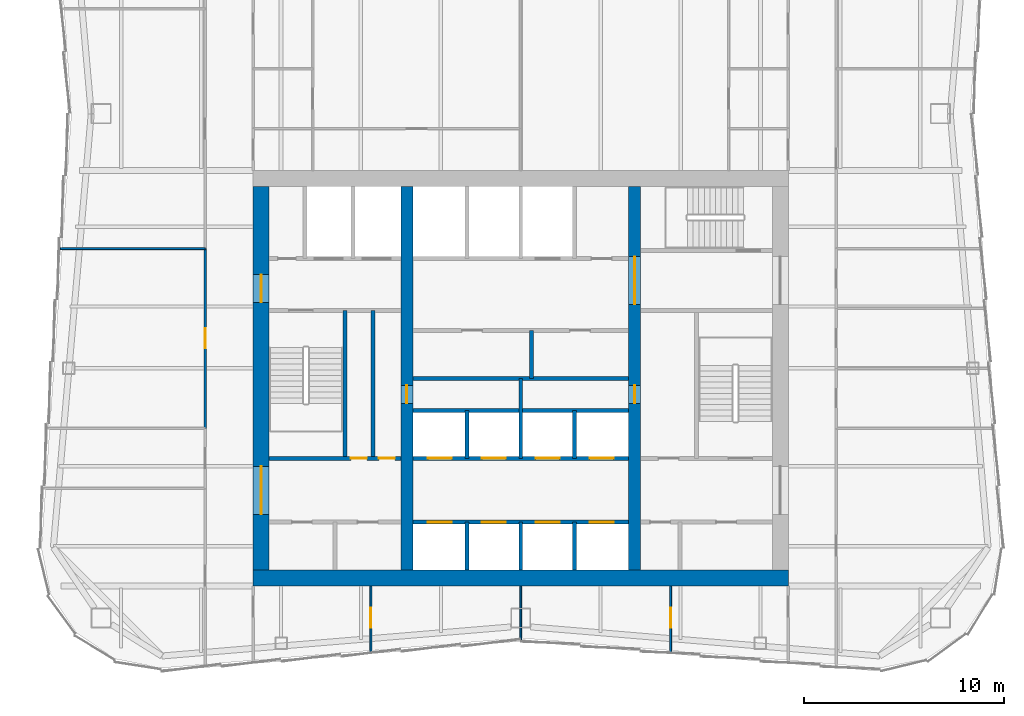
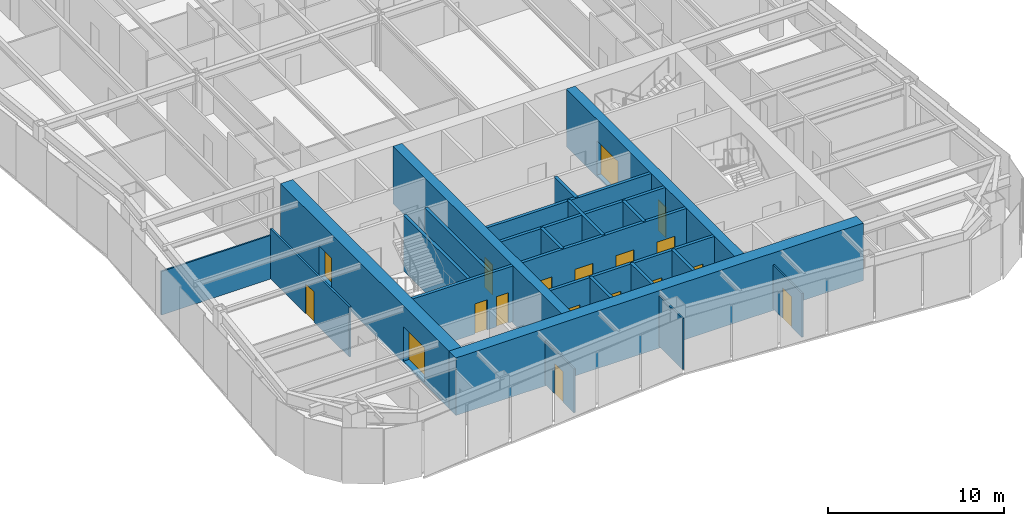
# One storey, part 6 of 12: 23 walls, 18 doors, 18 openings.
"""IFC4 building model written with IfcOpenShell, lengths in metres."""

from ifc_helpers import new_model, si_unit, direction, frame, frame_2d, origin, place, context, subcontext, project, spatial, rectangle, extrude, material, layer, layer_set, type_object, element, fill, save


model = new_model("IFC4")

# Units and contexts
model_context = context("Model", 3, precision=1e-05, world=origin(), true_north=direction((0.0, 1.0)))
body_context = subcontext(model_context, "Body", "Model", "MODEL_VIEW")
ifc_project = project(units=[si_unit("LENGTHUNIT", "METRE"), si_unit("AREAUNIT", "SQUARE_METRE"), si_unit("VOLUMEUNIT", "CUBIC_METRE"), si_unit("PLANEANGLEUNIT", "RADIAN"), si_unit("MASSUNIT", "GRAM", prefix="KILO")], contexts=[model_context])

# Site, building, storey
site_placement = place(None, origin())
site = spatial("IfcSite", under=ifc_project, at=site_placement, CompositionType="ELEMENT")
building_placement = place(site_placement, origin())
building = spatial("IfcBuilding", under=site, at=building_placement, Name="Verdant Reach Tower", CompositionType="ELEMENT")
storey_placement = place(building_placement, frame((0.0, 0.0, 246.0)))
storey = spatial("IfcBuildingStorey", under=building, at=storey_placement, Name="L56", CompositionType="ELEMENT", Elevation=246.0)

# Walls
ifc_material_1 = material(Name="Gypsum board on steel studs", Category="steel")
ifc_layer_1 = layer(ifc_material_1, 0.199951171875)
ifc_layer_set_1 = layer_set([ifc_layer_1], Name="CO-WALL-ROOM")
wall_type_1 = type_object("IfcWallType", Name="CO-WALL-ROOM", PredefinedType="PARTITIONING", material=ifc_layer_set_1)
wall_1_placement = place(storey_placement, frame((-5.39990234375, 28.0, 0.0), z_axis=(0.0, 0.0, 1.0), x_axis=(1.0, 0.0, 0.0)))
element("IfcWall", 1, at=wall_1_placement, inside=storey, type_object=wall_type_1, Name="Core partition, L56", PredefinedType="PARTITIONING", context=body_context, shape_type="SweptSolid", body=[
    extrude(rectangle(XDim=10.7998046875, YDim=0.199951171875, at=frame_2d((5.39990234375, 0.0))), origin(), (0.0, 0.0, 1.0), 3.8701171875),
])
wall_2_placement = place(storey_placement, frame((-7.39990234375, 24.0, 0.0), z_axis=(0.0, 0.0, 1.0), x_axis=(0.0, 1.0, 0.0)))
element("IfcWall", 2, at=wall_2_placement, inside=storey, type_object=wall_type_1, Name="Core partition, L56", PredefinedType="PARTITIONING", context=body_context, shape_type="SweptSolid", body=[
    extrude(rectangle(XDim=7.39990234375, YDim=0.199951171875, at=frame_2d((3.699951171875, 0.0))), origin(), (0.0, 0.0, 1.0), 3.8701171875),
])
wall_3_placement = place(storey_placement, frame((0.5400390625, 28.0, 0.0), z_axis=(0.0, 0.0, 1.0), x_axis=(0.0, 1.0, 0.0)))
element("IfcWall", 3, at=wall_3_placement, inside=storey, type_object=wall_type_1, Name="Core partition, L56", PredefinedType="PARTITIONING", context=body_context, shape_type="SweptSolid", body=[
    extrude(rectangle(XDim=2.39990234375, YDim=0.199951171875, at=frame_2d((1.199951171875, 0.0))), origin(), (0.0, 0.0, 1.0), 3.8701171875),
])

# Wall, openings, doors
ifc_material_2 = material(Name="Concrete C40/50", Category="concrete")
ifc_layer_2 = layer(ifc_material_2, 0.199951171875)
ifc_layer_set_2 = layer_set([ifc_layer_2], Name="CO-WALL-SHAFT")
wall_type_2 = type_object("IfcWallType", Name="CO-WALL-SHAFT", PredefinedType="PARTITIONING", material=ifc_layer_set_2)
wall_4_placement = place(storey_placement, frame((-5.39990234375, 20.800048828125, 0.0), z_axis=(0.0, 0.0, 1.0), x_axis=(1.0, 0.0, 0.0)))
wall_4 = element("IfcWall", 4, at=wall_4_placement, inside=storey, type_object=wall_type_2, Name="Lift shaft wall, L56", PredefinedType="PARTITIONING", context=body_context, shape_type="SweptSolid", body=[
    extrude(rectangle(XDim=10.7998046875, YDim=0.199951171875, at=frame_2d((5.39990234375, 0.0))), origin(), (0.0, 0.0, 1.0), 3.8701171875),
])
opening_1_placement = place(wall_4_placement, frame((0.75, 0.0, 0.0)))
opening_1 = element("IfcOpeningElement", 5, at=opening_1_placement, cuts=wall_4, Name="Opening LD-B1", PredefinedType="OPENING", context=body_context, shape_type="SweptSolid", body=[
    extrude(rectangle(XDim=1.199951171875, YDim=2.199951171875, at=frame_2d((0.60009765625, 1.10009765625))), frame((0.0, 0.10986328125, 0.0), z_axis=(0.0, -1.0, 0.0), x_axis=(1.0, 0.0, 0.0)), (0.0, 0.0, 1.0), 0.219970703125),
])
opening_2_placement = place(wall_4_placement, frame((3.449951171875, 0.0, 0.0)))
opening_2 = element("IfcOpeningElement", 6, at=opening_2_placement, cuts=wall_4, Name="Opening LD-B2", PredefinedType="OPENING", context=body_context, shape_type="SweptSolid", body=[
    extrude(rectangle(XDim=1.199951171875, YDim=2.199951171875, at=frame_2d((0.60009765625, 1.10009765625))), frame((0.0, 0.10986328125, 0.0), z_axis=(0.0, -1.0, 0.0), x_axis=(1.0, 0.0, 0.0)), (0.0, 0.0, 1.0), 0.219970703125),
])
opening_3_placement = place(wall_4_placement, frame((6.14990234375, 0.0, 0.0)))
opening_3 = element("IfcOpeningElement", 7, at=opening_3_placement, cuts=wall_4, Name="Opening LD-B3", PredefinedType="OPENING", context=body_context, shape_type="SweptSolid", body=[
    extrude(rectangle(XDim=1.199951171875, YDim=2.199951171875, at=frame_2d((0.60009765625, 1.10009765625))), frame((0.0, 0.10986328125, 0.0), z_axis=(0.0, -1.0, 0.0), x_axis=(1.0, 0.0, 0.0)), (0.0, 0.0, 1.0), 0.219970703125),
])
opening_4_placement = place(wall_4_placement, frame((8.85009765625, 0.0, 0.0)))
opening_4 = element("IfcOpeningElement", 8, at=opening_4_placement, cuts=wall_4, Name="Opening LD-B4", PredefinedType="OPENING", context=body_context, shape_type="SweptSolid", body=[
    extrude(rectangle(XDim=1.199951171875, YDim=2.199951171875, at=frame_2d((0.60009765625, 1.10009765625))), frame((0.0, 0.10986328125, 0.0), z_axis=(0.0, -1.0, 0.0), x_axis=(1.0, 0.0, 0.0)), (0.0, 0.0, 1.0), 0.219970703125),
])
ifc_material_3 = material(Name="Stainless steel", Category="steel")
door_type_1 = type_object("IfcDoorType", Name="CO-DOOR-LANDING", OperationType="SLIDING_TO_LEFT", PredefinedType="DOOR", material=ifc_material_3)
door_1_placement = place(opening_1_placement, origin())
door_1 = element("IfcDoor", 9, at=door_1_placement, inside=storey, type_object=door_type_1, Name="Landing door B1, L56", OperationType="SLIDING_TO_LEFT", OverallHeight=2.199951171875, OverallWidth=1.199951171875, PredefinedType="DOOR", context=body_context, shape_type="SweptSolid", body=[
    extrude(rectangle(XDim=1.199951171875, YDim=2.199951171875, at=frame_2d((0.60009765625, 1.10009765625))), frame((0.0, 0.02490234375, 0.0), z_axis=(0.0, -1.0, 0.0), x_axis=(1.0, 0.0, 0.0)), (0.0, 0.0, 1.0), 0.050048828125),
])
fill(opening_1, door_1)
door_2_placement = place(opening_2_placement, origin())
door_2 = element("IfcDoor", 10, at=door_2_placement, inside=storey, type_object=door_type_1, Name="Landing door B2, L56", OperationType="SLIDING_TO_LEFT", OverallHeight=2.199951171875, OverallWidth=1.199951171875, PredefinedType="DOOR", context=body_context, shape_type="SweptSolid", body=[
    extrude(rectangle(XDim=1.199951171875, YDim=2.199951171875, at=frame_2d((0.60009765625, 1.10009765625))), frame((0.0, 0.02490234375, 0.0), z_axis=(0.0, -1.0, 0.0), x_axis=(1.0, 0.0, 0.0)), (0.0, 0.0, 1.0), 0.050048828125),
])
fill(opening_2, door_2)
door_3_placement = place(opening_3_placement, origin())
door_3 = element("IfcDoor", 11, at=door_3_placement, inside=storey, type_object=door_type_1, Name="Landing door B3, L56", OperationType="SLIDING_TO_LEFT", OverallHeight=2.199951171875, OverallWidth=1.199951171875, PredefinedType="DOOR", context=body_context, shape_type="SweptSolid", body=[
    extrude(rectangle(XDim=1.199951171875, YDim=2.199951171875, at=frame_2d((0.60009765625, 1.10009765625))), frame((0.0, 0.02490234375, 0.0), z_axis=(0.0, -1.0, 0.0), x_axis=(1.0, 0.0, 0.0)), (0.0, 0.0, 1.0), 0.050048828125),
])
fill(opening_3, door_3)
door_4_placement = place(opening_4_placement, origin())
door_4 = element("IfcDoor", 12, at=door_4_placement, inside=storey, type_object=door_type_1, Name="Landing door B4, L56", OperationType="SLIDING_TO_LEFT", OverallHeight=2.199951171875, OverallWidth=1.199951171875, PredefinedType="DOOR", context=body_context, shape_type="SweptSolid", body=[
    extrude(rectangle(XDim=1.199951171875, YDim=2.199951171875, at=frame_2d((0.60009765625, 1.10009765625))), frame((0.0, 0.02490234375, 0.0), z_axis=(0.0, -1.0, 0.0), x_axis=(1.0, 0.0, 0.0)), (0.0, 0.0, 1.0), 0.050048828125),
])
fill(opening_4, door_4)

wall_5_placement = place(storey_placement, frame((-5.39990234375, 24.0, 0.0), z_axis=(0.0, 0.0, 1.0), x_axis=(1.0, 0.0, 0.0)))
wall_5 = element("IfcWall", 13, at=wall_5_placement, inside=storey, type_object=wall_type_2, Name="Lift shaft wall, L56", PredefinedType="PARTITIONING", context=body_context, shape_type="SweptSolid", body=[
    extrude(rectangle(XDim=10.7998046875, YDim=0.199951171875, at=frame_2d((5.39990234375, 0.0))), origin(), (0.0, 0.0, 1.0), 3.8701171875),
])
opening_5_placement = place(wall_5_placement, frame((0.75, 0.0, 0.0)))
opening_5 = element("IfcOpeningElement", 14, at=opening_5_placement, cuts=wall_5, Name="Opening LD-A5", PredefinedType="OPENING", context=body_context, shape_type="SweptSolid", body=[
    extrude(rectangle(XDim=1.199951171875, YDim=2.199951171875, at=frame_2d((0.60009765625, 1.10009765625))), frame((0.0, 0.10986328125, 0.0), z_axis=(0.0, -1.0, 0.0), x_axis=(1.0, 0.0, 0.0)), (0.0, 0.0, 1.0), 0.219970703125),
])
opening_6_placement = place(wall_5_placement, frame((3.449951171875, 0.0, 0.0)))
opening_6 = element("IfcOpeningElement", 15, at=opening_6_placement, cuts=wall_5, Name="Opening LD-A6", PredefinedType="OPENING", context=body_context, shape_type="SweptSolid", body=[
    extrude(rectangle(XDim=1.199951171875, YDim=2.199951171875, at=frame_2d((0.60009765625, 1.10009765625))), frame((0.0, 0.10986328125, 0.0), z_axis=(0.0, -1.0, 0.0), x_axis=(1.0, 0.0, 0.0)), (0.0, 0.0, 1.0), 0.219970703125),
])
opening_7_placement = place(wall_5_placement, frame((6.14990234375, 0.0, 0.0)))
opening_7 = element("IfcOpeningElement", 16, at=opening_7_placement, cuts=wall_5, Name="Opening LD-A7", PredefinedType="OPENING", context=body_context, shape_type="SweptSolid", body=[
    extrude(rectangle(XDim=1.199951171875, YDim=2.199951171875, at=frame_2d((0.60009765625, 1.10009765625))), frame((0.0, 0.10986328125, 0.0), z_axis=(0.0, -1.0, 0.0), x_axis=(1.0, 0.0, 0.0)), (0.0, 0.0, 1.0), 0.219970703125),
])
opening_8_placement = place(wall_5_placement, frame((8.85009765625, 0.0, 0.0)))
opening_8 = element("IfcOpeningElement", 17, at=opening_8_placement, cuts=wall_5, Name="Opening LD-A8", PredefinedType="OPENING", context=body_context, shape_type="SweptSolid", body=[
    extrude(rectangle(XDim=1.199951171875, YDim=2.199951171875, at=frame_2d((0.60009765625, 1.10009765625))), frame((0.0, 0.10986328125, 0.0), z_axis=(0.0, -1.0, 0.0), x_axis=(1.0, 0.0, 0.0)), (0.0, 0.0, 1.0), 0.219970703125),
])
door_5_placement = place(opening_5_placement, origin())
door_5 = element("IfcDoor", 18, at=door_5_placement, inside=storey, type_object=door_type_1, Name="Landing door A5, L56", OperationType="SLIDING_TO_LEFT", OverallHeight=2.199951171875, OverallWidth=1.199951171875, PredefinedType="DOOR", context=body_context, shape_type="SweptSolid", body=[
    extrude(rectangle(XDim=1.199951171875, YDim=2.199951171875, at=frame_2d((0.60009765625, 1.10009765625))), frame((0.0, 0.02490234375, 0.0), z_axis=(0.0, -1.0, 0.0), x_axis=(1.0, 0.0, 0.0)), (0.0, 0.0, 1.0), 0.050048828125),
])
fill(opening_5, door_5)
door_6_placement = place(opening_6_placement, origin())
door_6 = element("IfcDoor", 19, at=door_6_placement, inside=storey, type_object=door_type_1, Name="Landing door A6, L56", OperationType="SLIDING_TO_LEFT", OverallHeight=2.199951171875, OverallWidth=1.199951171875, PredefinedType="DOOR", context=body_context, shape_type="SweptSolid", body=[
    extrude(rectangle(XDim=1.199951171875, YDim=2.199951171875, at=frame_2d((0.60009765625, 1.10009765625))), frame((0.0, 0.02490234375, 0.0), z_axis=(0.0, -1.0, 0.0), x_axis=(1.0, 0.0, 0.0)), (0.0, 0.0, 1.0), 0.050048828125),
])
fill(opening_6, door_6)
door_7_placement = place(opening_7_placement, origin())
door_7 = element("IfcDoor", 20, at=door_7_placement, inside=storey, type_object=door_type_1, Name="Landing door A7, L56", OperationType="SLIDING_TO_LEFT", OverallHeight=2.199951171875, OverallWidth=1.199951171875, PredefinedType="DOOR", context=body_context, shape_type="SweptSolid", body=[
    extrude(rectangle(XDim=1.199951171875, YDim=2.199951171875, at=frame_2d((0.60009765625, 1.10009765625))), frame((0.0, 0.02490234375, 0.0), z_axis=(0.0, -1.0, 0.0), x_axis=(1.0, 0.0, 0.0)), (0.0, 0.0, 1.0), 0.050048828125),
])
fill(opening_7, door_7)
door_8_placement = place(opening_8_placement, origin())
door_8 = element("IfcDoor", 21, at=door_8_placement, inside=storey, type_object=door_type_1, Name="Landing door A8, L56", OperationType="SLIDING_TO_LEFT", OverallHeight=2.199951171875, OverallWidth=1.199951171875, PredefinedType="DOOR", context=body_context, shape_type="SweptSolid", body=[
    extrude(rectangle(XDim=1.199951171875, YDim=2.199951171875, at=frame_2d((0.60009765625, 1.10009765625))), frame((0.0, 0.02490234375, 0.0), z_axis=(0.0, -1.0, 0.0), x_axis=(1.0, 0.0, 0.0)), (0.0, 0.0, 1.0), 0.050048828125),
])
fill(opening_8, door_8)

# Walls
wall_6_placement = place(storey_placement, frame((-5.39990234375, 26.39990234375, 0.0), z_axis=(0.0, 0.0, 1.0), x_axis=(1.0, 0.0, 0.0)))
element("IfcWall", 22, at=wall_6_placement, inside=storey, type_object=wall_type_2, Name="Lift shaft wall, L56", PredefinedType="PARTITIONING", context=body_context, shape_type="SweptSolid", body=[
    extrude(rectangle(XDim=10.7998046875, YDim=0.199951171875, at=frame_2d((5.39990234375, 0.0))), origin(), (0.0, 0.0, 1.0), 3.8701171875),
])
wall_7_placement = place(storey_placement, frame((-2.699951171875, 18.39990234375, 0.0), z_axis=(0.0, 0.0, 1.0), x_axis=(0.0, 1.0, 0.0)))
element("IfcWall", 23, at=wall_7_placement, inside=storey, type_object=wall_type_2, Name="Lift shaft wall, L56", PredefinedType="PARTITIONING", context=body_context, shape_type="SweptSolid", body=[
    extrude(rectangle(XDim=2.400146484375, YDim=0.199951171875, at=frame_2d((1.2001953125, 0.0))), origin(), (0.0, 0.0, 1.0), 3.8701171875),
])
wall_8_placement = place(storey_placement, frame((-2.699951171875, 24.0, 0.0), z_axis=(0.0, 0.0, 1.0), x_axis=(0.0, 1.0, 0.0)))
element("IfcWall", 24, at=wall_8_placement, inside=storey, type_object=wall_type_2, Name="Lift shaft wall, L56", PredefinedType="PARTITIONING", context=body_context, shape_type="SweptSolid", body=[
    extrude(rectangle(XDim=2.39990234375, YDim=0.199951171875, at=frame_2d((1.199951171875, 0.0))), origin(), (0.0, 0.0, 1.0), 3.8701171875),
])
wall_9_placement = place(storey_placement, frame((0.0, 18.39990234375, 0.0), z_axis=(0.0, 0.0, 1.0), x_axis=(0.0, 1.0, 0.0)))
element("IfcWall", 25, at=wall_9_placement, inside=storey, type_object=wall_type_2, Name="Lift shaft wall, L56", PredefinedType="PARTITIONING", context=body_context, shape_type="SweptSolid", body=[
    extrude(rectangle(XDim=2.400146484375, YDim=0.199951171875, at=frame_2d((1.2001953125, 0.0))), origin(), (0.0, 0.0, 1.0), 3.8701171875),
])
wall_10_placement = place(storey_placement, frame((0.0, 24.0, 0.0), z_axis=(0.0, 0.0, 1.0), x_axis=(0.0, 1.0, 0.0)))
element("IfcWall", 26, at=wall_10_placement, inside=storey, type_object=wall_type_2, Name="Lift shaft wall, L56", PredefinedType="PARTITIONING", context=body_context, shape_type="SweptSolid", body=[
    extrude(rectangle(XDim=4.0, YDim=0.199951171875, at=frame_2d((2.0, 0.0))), origin(), (0.0, 0.0, 1.0), 3.8701171875),
])
wall_11_placement = place(storey_placement, frame((2.699951171875, 18.39990234375, 0.0), z_axis=(0.0, 0.0, 1.0), x_axis=(0.0, 1.0, 0.0)))
element("IfcWall", 27, at=wall_11_placement, inside=storey, type_object=wall_type_2, Name="Lift shaft wall, L56", PredefinedType="PARTITIONING", context=body_context, shape_type="SweptSolid", body=[
    extrude(rectangle(XDim=2.400146484375, YDim=0.199951171875, at=frame_2d((1.2001953125, 0.0))), origin(), (0.0, 0.0, 1.0), 3.8701171875),
])
wall_12_placement = place(storey_placement, frame((2.699951171875, 24.0, 0.0), z_axis=(0.0, 0.0, 1.0), x_axis=(0.0, 1.0, 0.0)))
element("IfcWall", 28, at=wall_12_placement, inside=storey, type_object=wall_type_2, Name="Lift shaft wall, L56", PredefinedType="PARTITIONING", context=body_context, shape_type="SweptSolid", body=[
    extrude(rectangle(XDim=2.39990234375, YDim=0.199951171875, at=frame_2d((1.199951171875, 0.0))), origin(), (0.0, 0.0, 1.0), 3.8701171875),
])

# Wall, openings, doors
ifc_layer_3 = layer(ifc_material_2, 0.199951171875)
ifc_layer_set_3 = layer_set([ifc_layer_3], Name="CO-WALL-STAIR")
wall_type_3 = type_object("IfcWallType", Name="CO-WALL-STAIR", PredefinedType="PARTITIONING", material=ifc_layer_set_3)
wall_13_placement = place(storey_placement, frame((-12.60009765625, 24.0, 0.0), z_axis=(0.0, 0.0, 1.0), x_axis=(1.0, 0.0, 0.0)))
wall_13 = element("IfcWall", 29, at=wall_13_placement, inside=storey, type_object=wall_type_3, Name="Stair enclosure wall, L56", PredefinedType="PARTITIONING", context=body_context, shape_type="SweptSolid", body=[
    extrude(rectangle(XDim=6.60009765625, YDim=0.199951171875, at=frame_2d((3.300048828125, 0.0))), origin(), (0.0, 0.0, 1.0), 3.8701171875),
])
opening_9_placement = place(wall_13_placement, frame((4.10009765625, 0.0, 0.0)))
opening_9 = element("IfcOpeningElement", 30, at=opening_9_placement, cuts=wall_13, Name="Opening CDN", PredefinedType="OPENING", context=body_context, shape_type="SweptSolid", body=[
    extrude(rectangle(XDim=0.800048828125, YDim=2.10009765625, at=frame_2d((0.39990234375, 1.050048828125))), frame((0.0, 0.10986328125, 0.0), z_axis=(0.0, -1.0, 0.0), x_axis=(1.0, 0.0, 0.0)), (0.0, 0.0, 1.0), 0.219970703125),
])
opening_10_placement = place(wall_13_placement, frame((5.5, 0.0, 0.0)))
opening_10 = element("IfcOpeningElement", 31, at=opening_10_placement, cuts=wall_13, Name="Opening CDN", PredefinedType="OPENING", context=body_context, shape_type="SweptSolid", body=[
    extrude(rectangle(XDim=0.800048828125, YDim=2.10009765625, at=frame_2d((0.39990234375, 1.050048828125))), frame((0.0, 0.10986328125, 0.0), z_axis=(0.0, -1.0, 0.0), x_axis=(1.0, 0.0, 0.0)), (0.0, 0.0, 1.0), 0.219970703125),
])
ifc_material_4 = material(Name="Timber", Category="wood")
door_type_2 = type_object("IfcDoorType", Name="CO-DOOR-ROOM-NARROW", OperationType="NOTDEFINED", PredefinedType="DOOR", material=ifc_material_4)
door_9_placement = place(opening_9_placement, origin())
door_9 = element("IfcDoor", 32, at=door_9_placement, inside=storey, type_object=door_type_2, Name="Core room door, L56", OperationType="SINGLE_SWING_LEFT", OverallHeight=2.10009765625, OverallWidth=0.800048828125, PredefinedType="DOOR", context=body_context, shape_type="SweptSolid", body=[
    extrude(rectangle(XDim=0.800048828125, YDim=2.10009765625, at=frame_2d((0.39990234375, 1.050048828125))), frame((0.0, 0.02490234375, 0.0), z_axis=(0.0, -1.0, 0.0), x_axis=(1.0, 0.0, 0.0)), (0.0, 0.0, 1.0), 0.050048828125),
])
fill(opening_9, door_9)
door_10_placement = place(opening_10_placement, origin())
door_10 = element("IfcDoor", 33, at=door_10_placement, inside=storey, type_object=door_type_2, Name="Core room door, L56", OperationType="SINGLE_SWING_RIGHT", OverallHeight=2.10009765625, OverallWidth=0.800048828125, PredefinedType="DOOR", context=body_context, shape_type="SweptSolid", body=[
    extrude(rectangle(XDim=0.800048828125, YDim=2.10009765625, at=frame_2d((0.39990234375, 1.050048828125))), frame((0.0, 0.02490234375, 0.0), z_axis=(0.0, -1.0, 0.0), x_axis=(1.0, 0.0, 0.0)), (0.0, 0.0, 1.0), 0.050048828125),
])
fill(opening_10, door_10)

# Walls
wall_14_placement = place(storey_placement, frame((-8.800048828125, 24.0, 0.0), z_axis=(0.0, 0.0, 1.0), x_axis=(0.0, 1.0, 0.0)))
element("IfcWall", 34, at=wall_14_placement, inside=storey, type_object=wall_type_3, Name="Stair enclosure wall, L56", PredefinedType="PARTITIONING", context=body_context, shape_type="SweptSolid", body=[
    extrude(rectangle(XDim=7.39990234375, YDim=0.199951171875, at=frame_2d((3.699951171875, 0.0))), origin(), (0.0, 0.0, 1.0), 3.8701171875),
])
ifc_layer_4 = layer(ifc_material_1, 0.10009765625)
ifc_layer_set_4 = layer_set([ifc_layer_4], Name="FL-W1 Partition 100")
wall_type_4 = type_object("IfcWallType", Name="FL-W1 Partition 100", PredefinedType="PARTITIONING", material=ifc_layer_set_4)
wall_15_placement = place(storey_placement, frame((-15.800048828125, 34.5, 0.0), z_axis=(0.0, 0.0, 1.0), x_axis=(-1.0, 0.0, 0.0)))
element("IfcWall", 35, at=wall_15_placement, inside=storey, type_object=wall_type_4, Name="Partition 56.40", PredefinedType="PARTITIONING", context=body_context, shape_type="SweptSolid", body=[
    extrude(rectangle(XDim=7.245361328125, YDim=0.10009765625, at=frame_2d((3.62255859375, 0.0))), origin(), (0.0, 0.0, 1.0), 3.0400390625),
])

# Wall, opening, door
wall_16_placement = place(storey_placement, frame((-7.5, 17.60009765625, 0.0), z_axis=(0.0, 0.0, 1.0), x_axis=(0.0, -1.0, 0.0)))
wall_16 = element("IfcWall", 36, at=wall_16_placement, inside=storey, type_object=wall_type_4, Name="Partition 56.50", PredefinedType="PARTITIONING", context=body_context, shape_type="SweptSolid", body=[
    extrude(rectangle(XDim=3.30517578125, YDim=0.10009765625, at=frame_2d((1.652587890625, 0.0))), origin(), (0.0, 0.0, 1.0), 3.0400390625),
])
opening_11_placement = place(wall_16_placement, frame((1.08740234375, 0.0, 0.0)))
opening_11 = element("IfcOpeningElement", 37, at=opening_11_placement, cuts=wall_16, Name="Opening D3", PredefinedType="OPENING", context=body_context, shape_type="SweptSolid", body=[
    extrude(rectangle(XDim=1.0, YDim=2.10009765625, at=frame_2d((0.5, 1.050048828125))), frame((0.0, 0.06005859375, 0.0), z_axis=(0.0, -1.0, 0.0), x_axis=(1.0, 0.0, 0.0)), (0.0, 0.0, 1.0), 0.1201171875),
])
ifc_material_5 = material(Name="Painted timber door leaf", Category="wood")
door_type_3 = type_object("IfcDoorType", Name="FL-D3 Door 1000x2100", OperationType="NOTDEFINED", PredefinedType="DOOR", material=ifc_material_5)
door_11_placement = place(opening_11_placement, origin())
door_11 = element("IfcDoor", 38, at=door_11_placement, inside=storey, type_object=door_type_3, Name="Door 56-029", OperationType="SINGLE_SWING_LEFT", OverallHeight=2.10009765625, OverallWidth=1.0, PredefinedType="DOOR", context=body_context, shape_type="SweptSolid", body=[
    extrude(rectangle(XDim=1.0, YDim=2.10009765625, at=frame_2d((0.5, 1.050048828125))), frame((0.0, 0.02490234375, 0.0), z_axis=(0.0, -1.0, 0.0), x_axis=(1.0, 0.0, 0.0)), (0.0, 0.0, 1.0), 0.050048828125),
])
fill(opening_11, door_11)

# Wall
wall_17_placement = place(storey_placement, frame((0.0, 14.919921875, 0.0), z_axis=(0.0, 0.0, 1.0), x_axis=(0.0, 1.0, 0.0)))
element("IfcWall", 39, at=wall_17_placement, inside=storey, type_object=wall_type_4, Name="Partition 56.51", PredefinedType="PARTITIONING", context=body_context, shape_type="SweptSolid", body=[
    extrude(rectangle(XDim=2.68017578125, YDim=0.10009765625, at=frame_2d((1.340087890625, 0.0))), origin(), (0.0, 0.0, 1.0), 3.5400390625),
])

# Wall, opening, door
wall_18_placement = place(storey_placement, frame((7.5, 14.294921875, 0.0), z_axis=(0.0, 0.0, 1.0), x_axis=(0.0, 1.0, 0.0)))
wall_18 = element("IfcWall", 40, at=wall_18_placement, inside=storey, type_object=wall_type_4, Name="Partition 56.52", PredefinedType="PARTITIONING", context=body_context, shape_type="SweptSolid", body=[
    extrude(rectangle(XDim=3.30517578125, YDim=0.10009765625, at=frame_2d((1.652587890625, 0.0))), origin(), (0.0, 0.0, 1.0), 3.0400390625),
])
opening_12_placement = place(wall_18_placement, frame((1.217529296875, 0.0, 0.0)))
opening_12 = element("IfcOpeningElement", 41, at=opening_12_placement, cuts=wall_18, Name="Opening D3", PredefinedType="OPENING", context=body_context, shape_type="SweptSolid", body=[
    extrude(rectangle(XDim=1.0, YDim=2.10009765625, at=frame_2d((0.5, 1.050048828125))), frame((0.0, 0.06005859375, 0.0), z_axis=(0.0, -1.0, 0.0), x_axis=(1.0, 0.0, 0.0)), (0.0, 0.0, 1.0), 0.1201171875),
])
door_12_placement = place(opening_12_placement, origin())
door_12 = element("IfcDoor", 42, at=door_12_placement, inside=storey, type_object=door_type_3, Name="Door 56-030", OperationType="SINGLE_SWING_RIGHT", OverallHeight=2.10009765625, OverallWidth=1.0, PredefinedType="DOOR", context=body_context, shape_type="SweptSolid", body=[
    extrude(rectangle(XDim=1.0, YDim=2.10009765625, at=frame_2d((0.5, 1.050048828125))), frame((0.0, 0.02490234375, 0.0), z_axis=(0.0, -1.0, 0.0), x_axis=(1.0, 0.0, 0.0)), (0.0, 0.0, 1.0), 0.050048828125),
])
fill(opening_12, door_12)

ifc_material_6 = material(Name="Gypsum board on steel studs, fire rated", Category="steel")
ifc_layer_5 = layer(ifc_material_6, 0.125)
ifc_layer_set_5 = layer_set([ifc_layer_5], Name="FL-W2 Corridor wall 125")
wall_type_5 = type_object("IfcWallType", Name="FL-W2 Corridor wall 125", PredefinedType="PARTITIONING", material=ifc_layer_set_5)
wall_19_placement = place(storey_placement, frame((-15.800048828125, 25.5, 0.0), z_axis=(0.0, 0.0, 1.0), x_axis=(0.0, 1.0, 0.0)))
wall_19 = element("IfcWall", 43, at=wall_19_placement, inside=storey, type_object=wall_type_5, Name="Partition 56.03", PredefinedType="PARTITIONING", context=body_context, shape_type="SweptSolid", body=[
    extrude(rectangle(XDim=9.0, YDim=0.125, at=frame_2d((4.5, 0.0))), origin(), (0.0, 0.0, 1.0), 3.47998046875),
])
opening_13_placement = place(wall_19_placement, frame((4.0, 0.0, 0.0)))
opening_13 = element("IfcOpeningElement", 44, at=opening_13_placement, cuts=wall_19, Name="Opening D2", PredefinedType="OPENING", context=body_context, shape_type="SweptSolid", body=[
    extrude(rectangle(XDim=1.0, YDim=2.10009765625, at=frame_2d((0.5, 1.050048828125))), frame((0.0, 0.072509765625, 0.0), z_axis=(0.0, -1.0, 0.0), x_axis=(1.0, 0.0, 0.0)), (0.0, 0.0, 1.0), 0.14501953125),
])
ifc_material_7 = material(Name="Timber door leaf, fire rated", Category="wood")
door_type_4 = type_object("IfcDoorType", Name="FL-D2 Entrance door 1000x2100 FD30", OperationType="NOTDEFINED", PredefinedType="DOOR", material=ifc_material_7)
door_13_placement = place(opening_13_placement, origin())
door_13 = element("IfcDoor", 45, at=door_13_placement, inside=storey, type_object=door_type_4, Name="Door 56-003", OperationType="SINGLE_SWING_LEFT", OverallHeight=2.10009765625, OverallWidth=1.0, PredefinedType="DOOR", context=body_context, shape_type="SweptSolid", body=[
    extrude(rectangle(XDim=1.0, YDim=2.10009765625, at=frame_2d((0.5, 1.050048828125))), frame((0.0, 0.02490234375, 0.0), z_axis=(0.0, -1.0, 0.0), x_axis=(1.0, 0.0, 0.0)), (0.0, 0.0, 1.0), 0.050048828125),
])
fill(opening_13, door_13)

ifc_material_8 = material(Name="Concrete C70/85", Category="concrete")
ifc_layer_6 = layer(ifc_material_8, 0.60009765625)
ifc_layer_set_6 = layer_set([ifc_layer_6], Name="ST-CORE-WALL-600")
wall_type_6 = type_object("IfcWallType", Name="ST-CORE-WALL-600", PredefinedType="SHEAR", material=ifc_layer_set_6)
wall_20_placement = place(storey_placement, frame((-5.699951171875, 18.39990234375, -0.1298828125), z_axis=(0.0, 0.0, 1.0), x_axis=(0.0, 1.0, 0.0)))
wall_20 = element("IfcWall", 46, at=wall_20_placement, inside=storey, type_object=wall_type_6, Name="Core wall XW, L56", PredefinedType="SHEAR", context=body_context, shape_type="SweptSolid", body=[
    extrude(rectangle(XDim=19.2001953125, YDim=0.60009765625, at=frame_2d((9.60009765625, 0.0))), origin(), (0.0, 0.0, 1.0), 4.0),
])
opening_14_placement = place(wall_20_placement, frame((8.35009765625, 0.0, 0.1298828125)))
opening_14 = element("IfcOpeningElement", 47, at=opening_14_placement, cuts=wall_20, Name="Opening RD", PredefinedType="OPENING", context=body_context, shape_type="SweptSolid", body=[
    extrude(rectangle(XDim=0.89990234375, YDim=2.10009765625, at=frame_2d((0.449951171875, 1.050048828125))), frame((0.0, 0.31005859375, 0.0), z_axis=(0.0, -1.0, 0.0), x_axis=(1.0, 0.0, 0.0)), (0.0, 0.0, 1.0), 0.6201171875),
])
ifc_material_9 = material(Name="Steel", Category="steel")
door_type_5 = type_object("IfcDoorType", Name="CO-DOOR-RISER", OperationType="NOTDEFINED", PredefinedType="DOOR", material=ifc_material_9)
door_14_placement = place(opening_14_placement, origin())
door_14 = element("IfcDoor", 48, at=door_14_placement, inside=storey, type_object=door_type_5, Name="Riser door, L56", OperationType="SINGLE_SWING_LEFT", OverallHeight=2.10009765625, OverallWidth=0.89990234375, PredefinedType="DOOR", context=body_context, shape_type="SweptSolid", body=[
    extrude(rectangle(XDim=0.89990234375, YDim=2.10009765625, at=frame_2d((0.449951171875, 1.050048828125))), frame((0.0, 0.02490234375, 0.0), z_axis=(0.0, -1.0, 0.0), x_axis=(1.0, 0.0, 0.0)), (0.0, 0.0, 1.0), 0.050048828125),
])
fill(opening_14, door_14)

# Wall, openings, doors
wall_21_placement = place(storey_placement, frame((5.699951171875, 18.39990234375, -0.1298828125), z_axis=(0.0, 0.0, 1.0), x_axis=(0.0, 1.0, 0.0)))
wall_21 = element("IfcWall", 49, at=wall_21_placement, inside=storey, type_object=wall_type_6, Name="Core wall XE, L56", PredefinedType="SHEAR", context=body_context, shape_type="SweptSolid", body=[
    extrude(rectangle(XDim=19.2001953125, YDim=0.60009765625, at=frame_2d((9.60009765625, 0.0))), origin(), (0.0, 0.0, 1.0), 4.0),
])
opening_15_placement = place(wall_21_placement, frame((8.35009765625, 0.0, 0.1298828125)))
opening_15 = element("IfcOpeningElement", 50, at=opening_15_placement, cuts=wall_21, Name="Opening RD", PredefinedType="OPENING", context=body_context, shape_type="SweptSolid", body=[
    extrude(rectangle(XDim=0.89990234375, YDim=2.10009765625, at=frame_2d((0.449951171875, 1.050048828125))), frame((0.0, 0.31005859375, 0.0), z_axis=(0.0, -1.0, 0.0), x_axis=(1.0, 0.0, 0.0)), (0.0, 0.0, 1.0), 0.6201171875),
])
opening_16_placement = place(wall_21_placement, frame((13.300048828125, 0.0, 0.1298828125)))
opening_16 = element("IfcOpeningElement", 51, at=opening_16_placement, cuts=wall_21, Name="Opening LB", PredefinedType="OPENING", context=body_context, shape_type="SweptSolid", body=[
    extrude(rectangle(XDim=2.39990234375, YDim=2.39990234375, at=frame_2d((1.199951171875, 1.199951171875))), frame((0.0, 0.31005859375, 0.0), z_axis=(0.0, -1.0, 0.0), x_axis=(1.0, 0.0, 0.0)), (0.0, 0.0, 1.0), 0.6201171875),
])
ifc_material_10 = material(Name="Glass and steel", Category="steel")
door_type_6 = type_object("IfcDoorType", Name="CO-DOOR-LOBBY", OperationType="DOUBLE_DOOR_SINGLE_SWING", PredefinedType="DOOR", material=ifc_material_10)
door_15_placement = place(opening_16_placement, origin())
door_15 = element("IfcDoor", 52, at=door_15_placement, inside=storey, type_object=door_type_6, Name="Core entrance door, L56", OperationType="DOUBLE_DOOR_SINGLE_SWING", OverallHeight=2.39990234375, OverallWidth=2.39990234375, PredefinedType="DOOR", context=body_context, shape_type="SweptSolid", body=[
    extrude(rectangle(XDim=2.39990234375, YDim=2.39990234375, at=frame_2d((1.199951171875, 1.199951171875))), frame((0.0, 0.02490234375, 0.0), z_axis=(0.0, -1.0, 0.0), x_axis=(1.0, 0.0, 0.0)), (0.0, 0.0, 1.0), 0.050048828125),
])
fill(opening_16, door_15)
door_16_placement = place(opening_15_placement, origin())
door_16 = element("IfcDoor", 53, at=door_16_placement, inside=storey, type_object=door_type_5, Name="Riser door, L56", OperationType="SINGLE_SWING_RIGHT", OverallHeight=2.10009765625, OverallWidth=0.89990234375, PredefinedType="DOOR", context=body_context, shape_type="SweptSolid", body=[
    extrude(rectangle(XDim=0.89990234375, YDim=2.10009765625, at=frame_2d((0.449951171875, 1.050048828125))), frame((0.0, 0.02490234375, 0.0), z_axis=(0.0, -1.0, 0.0), x_axis=(1.0, 0.0, 0.0)), (0.0, 0.0, 1.0), 0.050048828125),
])
fill(opening_15, door_16)

# Wall
ifc_layer_7 = layer(ifc_material_8, 0.800048828125)
ifc_layer_set_7 = layer_set([ifc_layer_7], Name="ST-CORE-WALL-800")
wall_type_7 = type_object("IfcWallType", Name="ST-CORE-WALL-800", PredefinedType="SHEAR", material=ifc_layer_set_7)
wall_22_placement = place(storey_placement, frame((-13.39990234375, 18.0, -0.1298828125), z_axis=(0.0, 0.0, 1.0), x_axis=(1.0, 0.0, 0.0)))
element("IfcWall", 54, at=wall_22_placement, inside=storey, type_object=wall_type_7, Name="Core wall S, L56", PredefinedType="SHEAR", context=body_context, shape_type="SweptSolid", body=[
    extrude(rectangle(XDim=26.7998046875, YDim=0.800048828125, at=frame_2d((13.39990234375, 0.0))), origin(), (0.0, 0.0, 1.0), 4.0),
])

# Wall, openings, doors
wall_23_placement = place(storey_placement, frame((-13.0, 18.39990234375, -0.1298828125), z_axis=(0.0, 0.0, 1.0), x_axis=(0.0, 1.0, 0.0)))
wall_23 = element("IfcWall", 55, at=wall_23_placement, inside=storey, type_object=wall_type_7, Name="Core wall W, L56", PredefinedType="SHEAR", context=body_context, shape_type="SweptSolid", body=[
    extrude(rectangle(XDim=19.2001953125, YDim=0.800048828125, at=frame_2d((9.60009765625, 0.0))), origin(), (0.0, 0.0, 1.0), 4.0),
])
opening_17_placement = place(wall_23_placement, frame((2.800048828125, 0.0, 0.1298828125)))
opening_17 = element("IfcOpeningElement", 56, at=opening_17_placement, cuts=wall_23, Name="Opening LB", PredefinedType="OPENING", context=body_context, shape_type="SweptSolid", body=[
    extrude(rectangle(XDim=2.39990234375, YDim=2.39990234375, at=frame_2d((1.199951171875, 1.199951171875))), frame((0.0, 0.409912109375, 0.0), z_axis=(0.0, -1.0, 0.0), x_axis=(1.0, 0.0, 0.0)), (0.0, 0.0, 1.0), 0.820068359375),
])
opening_18_placement = place(wall_23_placement, frame((13.39990234375, 0.0, 0.1298828125)))
opening_18 = element("IfcOpeningElement", 57, at=opening_18_placement, cuts=wall_23, Name="Opening FL", PredefinedType="OPENING", context=body_context, shape_type="SweptSolid", body=[
    extrude(rectangle(XDim=1.39990234375, YDim=2.199951171875, at=frame_2d((0.699951171875, 1.10009765625))), frame((0.0, 0.409912109375, 0.0), z_axis=(0.0, -1.0, 0.0), x_axis=(1.0, 0.0, 0.0)), (0.0, 0.0, 1.0), 0.820068359375),
])
door_type_7 = type_object("IfcDoorType", Name="CO-DOOR-FFL", OperationType="NOTDEFINED", PredefinedType="DOOR", material=ifc_material_9)
door_17_placement = place(opening_18_placement, origin())
door_17 = element("IfcDoor", 58, at=door_17_placement, inside=storey, type_object=door_type_7, Name="Core entrance door, L56", OperationType="SINGLE_SWING_RIGHT", OverallHeight=2.199951171875, OverallWidth=1.39990234375, PredefinedType="DOOR", context=body_context, shape_type="SweptSolid", body=[
    extrude(rectangle(XDim=1.39990234375, YDim=2.199951171875, at=frame_2d((0.699951171875, 1.10009765625))), frame((0.0, 0.02490234375, 0.0), z_axis=(0.0, -1.0, 0.0), x_axis=(1.0, 0.0, 0.0)), (0.0, 0.0, 1.0), 0.050048828125),
])
fill(opening_18, door_17)
door_18_placement = place(opening_17_placement, origin())
door_18 = element("IfcDoor", 59, at=door_18_placement, inside=storey, type_object=door_type_6, Name="Core entrance door, L56", OperationType="DOUBLE_DOOR_SINGLE_SWING", OverallHeight=2.39990234375, OverallWidth=2.39990234375, PredefinedType="DOOR", context=body_context, shape_type="SweptSolid", body=[
    extrude(rectangle(XDim=2.39990234375, YDim=2.39990234375, at=frame_2d((1.199951171875, 1.199951171875))), frame((0.0, 0.02490234375, 0.0), z_axis=(0.0, -1.0, 0.0), x_axis=(1.0, 0.0, 0.0)), (0.0, 0.0, 1.0), 0.050048828125),
])
fill(opening_17, door_18)

save(model, "model.ifc")
